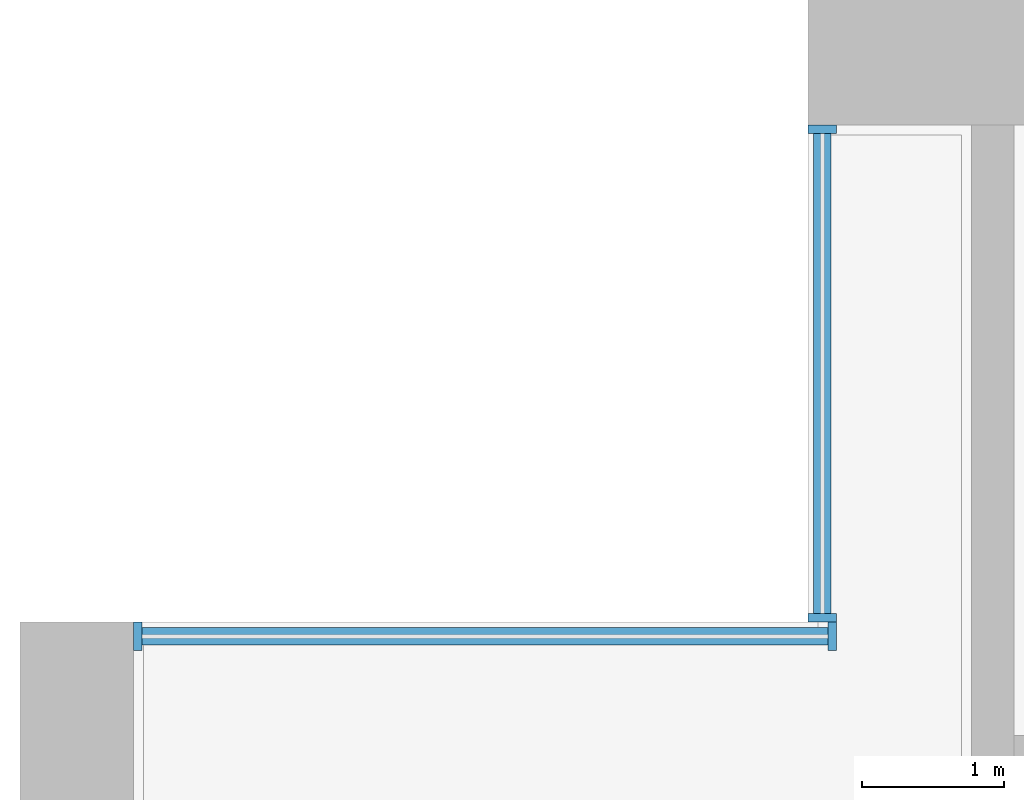
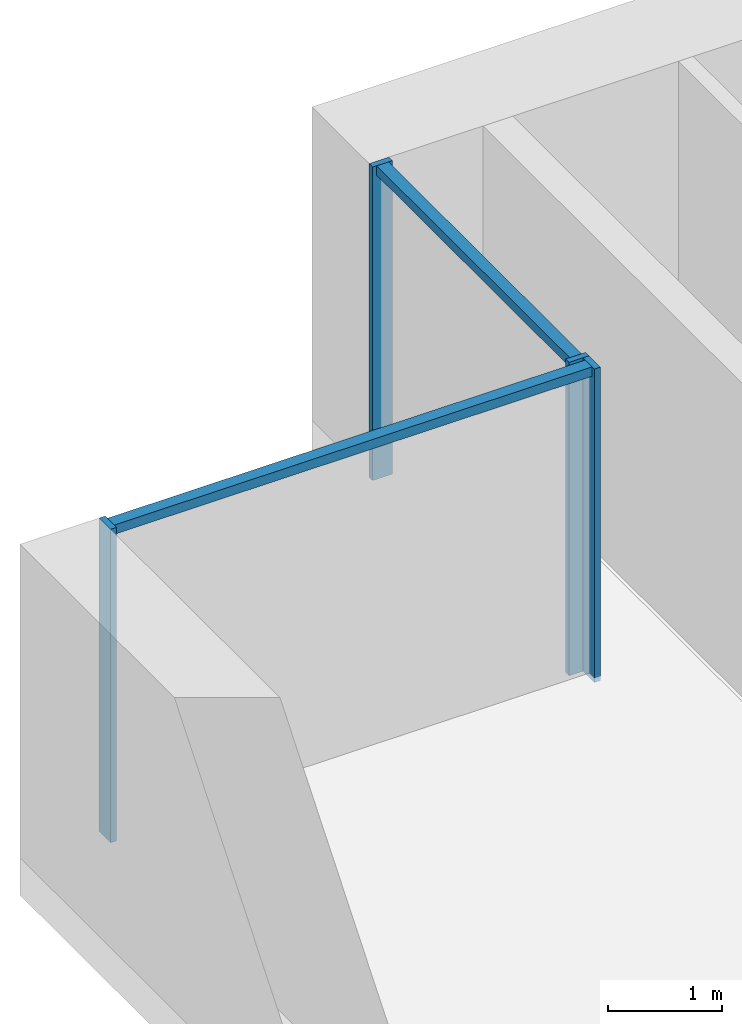
# One storey, part 4 of 18: 6 members, 2 elements without a shape of their own.
"""IFC4 building model written with IfcOpenShell, lengths in metres."""

from ifc_helpers import new_model, si_unit, direction, frame, origin, origin_2d, place, context, subcontext, project, spatial, rectangle, extrude, material, material_profile, profile_set, type_object, element, aggregate, save


model = new_model("IFC4")

# Units and contexts
model_context = context("Model", 3, precision=1e-05, world=origin(), true_north=direction((0.0, 1.0)))
body_context = subcontext(model_context, "Body", "Model", "MODEL_VIEW")
ifc_project = project(units=[si_unit("LENGTHUNIT", "METRE"), si_unit("AREAUNIT", "SQUARE_METRE"), si_unit("VOLUMEUNIT", "CUBIC_METRE"), si_unit("PLANEANGLEUNIT", "RADIAN"), si_unit("MASSUNIT", "GRAM", prefix="KILO")], contexts=[model_context])

# Site, building, storey
site_placement = place(None, origin())
site = spatial("IfcSite", under=ifc_project, at=site_placement, CompositionType="ELEMENT")
building_placement = place(site_placement, origin())
building = spatial("IfcBuilding", under=site, at=building_placement, Name="Calvaro Tower", CompositionType="ELEMENT")
storey_placement = place(building_placement, frame((0.0, 0.0, 37.5)))
storey = spatial("IfcBuildingStorey", under=building, at=storey_placement, Name="L08", CompositionType="ELEMENT", Elevation=37.5)

# Curtain wall, members
ifc_material_1 = material(Name="Anodised aluminium", Category="aluminium")
curtain_wall_type = type_object("IfcCurtainWallType", Name="Office curtain wall, lower zone", PredefinedType="NOTDEFINED", material=ifc_material_1)
curtain_wall_1_placement = place(storey_placement, origin())
curtain_wall_1 = element("IfcCurtainWall", 1, at=curtain_wall_1_placement, inside=storey, type_object=curtain_wall_type, Name="CW1 corner curtain wall", PredefinedType="NOTDEFINED")
ifc_material_2 = material(Name="Anodised aluminium", Category="aluminium")
ifc_material_profile_1 = material_profile(ifc_material_2, rectangle(XDim=0.199951171875, YDim=0.06005859375, at=origin_2d()), Name="Mullion S1 60 x 200")
ifc_profile_set_1 = profile_set([ifc_material_profile_1], Name="Anodised aluminium")
member_type_1 = type_object("IfcMemberType", Name="Mullion S1 60 x 200", PredefinedType="MULLION", material=ifc_profile_set_1)
member_1_placement = place(storey_placement, frame((5.64990234375, 41.530029296875, 0.0), z_axis=(0.0, 0.0, 1.0), x_axis=(-1.0, 0.0, 0.0)))
member_1 = element("IfcMember", 2, at=member_1_placement, type_object=member_type_1, Name="CW1 mullion 1", PredefinedType="MULLION", context=body_context, shape_type="SweptSolid", body=[
    extrude(rectangle(XDim=0.199951171875, YDim=0.06005859375, at=origin_2d()), origin(), (0.0, 0.0, 1.0), 3.35009765625),
])
member_2_placement = place(storey_placement, frame((5.64990234375, 44.969970703125, 0.0), z_axis=(0.0, 0.0, 1.0), x_axis=(-1.0, 0.0, 0.0)))
member_2 = element("IfcMember", 3, at=member_2_placement, type_object=member_type_1, Name="CW1 mullion 2", PredefinedType="MULLION", context=body_context, shape_type="SweptSolid", body=[
    extrude(rectangle(XDim=0.199951171875, YDim=0.06005859375, at=origin_2d()), origin(), (0.0, 0.0, 1.0), 3.35009765625),
])

curtain_wall_2_placement = place(storey_placement, origin())
curtain_wall_2 = element("IfcCurtainWall", 4, at=curtain_wall_2_placement, inside=storey, type_object=curtain_wall_type, Name="CW1 corner curtain wall", PredefinedType="NOTDEFINED")
member_3_placement = place(storey_placement, frame((0.830078125, 41.39990234375, 0.0), z_axis=(0.0, 0.0, 1.0), x_axis=(0.0, 1.0, 0.0)))
member_3 = element("IfcMember", 5, at=member_3_placement, type_object=member_type_1, Name="CW1 mullion 1", PredefinedType="MULLION", context=body_context, shape_type="SweptSolid", body=[
    extrude(rectangle(XDim=0.199951171875, YDim=0.06005859375, at=origin_2d()), origin(), (0.0, 0.0, 1.0), 3.35009765625),
])
member_4_placement = place(storey_placement, frame((5.719970703125, 41.39990234375, 0.0), z_axis=(0.0, 0.0, 1.0), x_axis=(0.0, 1.0, 0.0)))
member_4 = element("IfcMember", 6, at=member_4_placement, type_object=member_type_1, Name="CW1 mullion 2", PredefinedType="MULLION", context=body_context, shape_type="SweptSolid", body=[
    extrude(rectangle(XDim=0.199951171875, YDim=0.06005859375, at=origin_2d()), origin(), (0.0, 0.0, 1.0), 3.35009765625),
])

# Member
ifc_material_3 = material(Name="Anodised aluminium", Category="aluminium")
ifc_material_profile_2 = material_profile(ifc_material_3, rectangle(XDim=0.1201171875, YDim=0.10009765625, at=origin_2d()), Name="Transom S1 100 x 120")
ifc_profile_set_2 = profile_set([ifc_material_profile_2], Name="Anodised aluminium")
member_type_2 = type_object("IfcMemberType", Name="Transom S1 100 x 120", PredefinedType="USERDEFINED", material=ifc_profile_set_2)
member_5_placement = place(storey_placement, frame((5.64990234375, 41.56005859375, 3.300048828125), z_axis=(0.0, 1.0, 0.0), x_axis=(-1.0, 0.0, 0.0)))
member_5 = element("IfcMember", 7, at=member_5_placement, type_object=member_type_2, Name="CW1 transom 1.1", ObjectType="TRANSOM", PredefinedType="USERDEFINED", context=body_context, shape_type="SweptSolid", body=[
    extrude(rectangle(XDim=0.1201171875, YDim=0.10009765625, at=origin_2d()), origin(), (0.0, 0.0, 1.0), 3.3798828125),
])

aggregate(curtain_wall_1, [member_1, member_2, member_5])

member_6_placement = place(storey_placement, frame((0.860107421875, 41.39990234375, 3.300048828125), z_axis=(1.0, 0.0, 0.0), x_axis=(0.0, 1.0, 0.0)))
member_6 = element("IfcMember", 8, at=member_6_placement, type_object=member_type_2, Name="CW1 transom 1.1", ObjectType="TRANSOM", PredefinedType="USERDEFINED", context=body_context, shape_type="SweptSolid", body=[
    extrude(rectangle(XDim=0.1201171875, YDim=0.10009765625, at=origin_2d()), origin(), (0.0, 0.0, 1.0), 4.829833984375),
])

aggregate(curtain_wall_2, [member_3, member_4, member_6])

save(model, "model.ifc")
